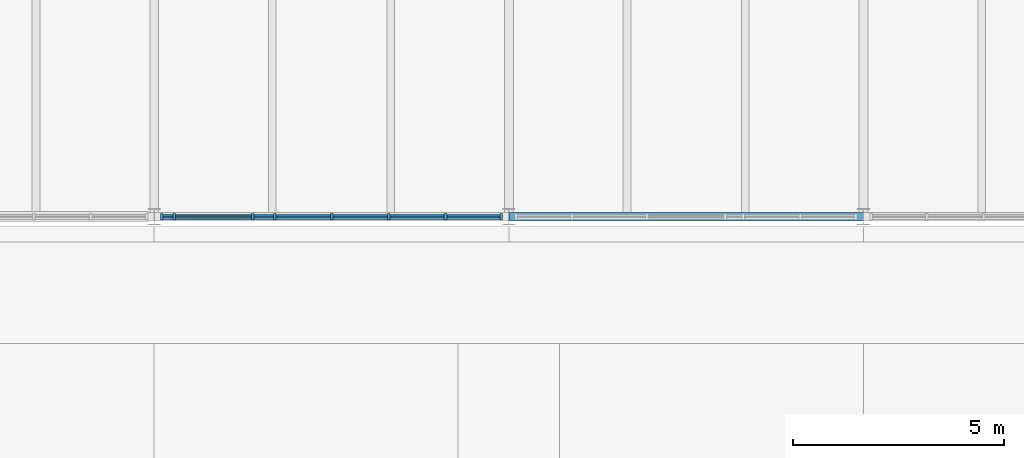
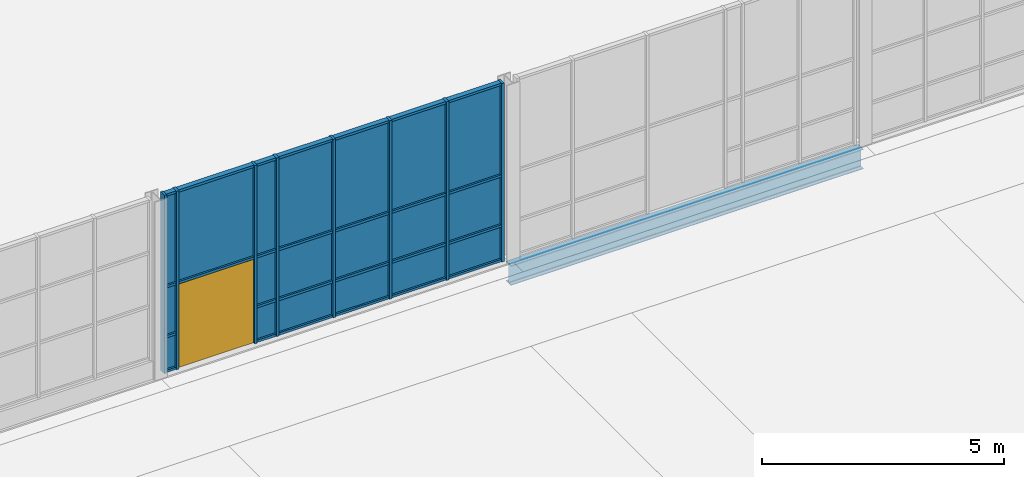
# One storey, part 41 of 116: 34 members, 19 plates, 1 beam, 1 door, 1 opening, 1 element without a shape of its own.
"""IFC4 building model written with IfcOpenShell, lengths in metres."""

from ifc_helpers import new_model, si_unit, direction, frame, frame_2d, origin, origin_2d, place, context, subcontext, project, spatial, rectangle, i_section, extrude, material, layer, layer_set, material_profile, profile_set, type_object, element, fill, aggregate, save


model = new_model("IFC4")

# Units and contexts
model_context = context("Model", 3, precision=1e-05, world=origin(), true_north=direction((0.0, 1.0)))
body_context = subcontext(model_context, "Body", "Model", "MODEL_VIEW")
ifc_project = project(units=[si_unit("LENGTHUNIT", "METRE"), si_unit("AREAUNIT", "SQUARE_METRE"), si_unit("VOLUMEUNIT", "CUBIC_METRE"), si_unit("PLANEANGLEUNIT", "RADIAN"), si_unit("MASSUNIT", "GRAM", prefix="KILO")], contexts=[model_context])

# Site, building, storey
site_placement = place(None, origin())
site = spatial("IfcSite", under=ifc_project, at=site_placement, CompositionType="ELEMENT")
building_placement = place(site_placement, origin())
building = spatial("IfcBuilding", under=site, at=building_placement, Name="Ardhachandra Cancer Care Centre", CompositionType="ELEMENT")
storey_placement = place(building_placement, origin())
storey = spatial("IfcBuildingStorey", under=building, at=storey_placement, Name="L00", CompositionType="ELEMENT", Elevation=0.0)

# Beam
ifc_material_1 = material(Name="Steel E350 (IS 2062)", Category="steel")
ifc_material_profile_1 = material_profile(ifc_material_1, i_section(OverallWidth=0.199951171875, OverallDepth=0.5, WebThickness=0.01025390625, FlangeThickness=0.01611328125, FilletRadius=0.02099609375, at=origin_2d()), Name="NPB 500x200x90.68")
ifc_profile_set_1 = profile_set([ifc_material_profile_1], Name="Steel E350 (IS 2062)")
beam_type = type_object("IfcBeamType", Name="Beam NPB 500x200x90.68", PredefinedType="BEAM", material=ifc_profile_set_1)
beam_placement = place(storey_placement, frame((78.0, 54.60009765625, -0.39990234375), z_axis=(1.0, 0.0, 0.0), x_axis=(0.0, 1.0, 0.0)))
element("IfcBeam", 1, at=beam_placement, inside=storey, type_object=beam_type, Name="Edge girder F9-F10", PredefinedType="BEAM", context=body_context, shape_type="SweptSolid", body=[
    extrude(i_section(OverallWidth=0.199951171875, OverallDepth=0.5, WebThickness=0.01025390625, FlangeThickness=0.01611328125, FilletRadius=0.02099609375, at=origin_2d()), origin(), (0.0, 0.0, 1.0), 8.39990234375),
])

# Curtain wall, opening, members, plates, door
ifc_material_2 = material(Name="Aluminium extrusion", Category="aluminium")
ifc_layer_1 = layer(ifc_material_2, 0.14990234375)
ifc_layer_set_1 = layer_set([ifc_layer_1], Name="Aluminium extrusion")
curtain_wall_type = type_object("IfcCurtainWallType", Name="Curtain wall run", PredefinedType="NOTDEFINED", material=ifc_layer_set_1)
curtain_wall_placement = place(storey_placement, frame((69.75, 54.60009765625, 0.0), z_axis=(0.0, 0.0, 1.0), x_axis=(1.0, 0.0, 0.0)))
curtain_wall = element("IfcCurtainWall", 2, at=curtain_wall_placement, inside=storey, type_object=curtain_wall_type, Name="Curtain wall L00 s/0069600_0054600", PredefinedType="NOTDEFINED")
opening_placement = place(curtain_wall_placement, frame((0.35009765625, 0.0, 0.0)))
opening = element("IfcOpeningElement", 3, at=opening_placement, cuts=curtain_wall, Name="Opening L00-X11", PredefinedType="OPENING", context=body_context, shape_type="SweptSolid", body=[
    extrude(rectangle(XDim=1.800048828125, YDim=2.10009765625, at=frame_2d((0.89990234375, 1.050048828125))), frame((0.0, 0.0849609375, 0.0), z_axis=(0.0, -1.0, 0.0), x_axis=(1.0, 0.0, 0.0)), (0.0, 0.0, 1.0), 0.169921875),
])
ifc_material_3 = material(Name="Aluminium extrusion", Category="aluminium")
ifc_material_profile_2 = material_profile(ifc_material_3, rectangle(XDim=0.159912109375, YDim=0.06005859375, at=origin_2d()), Name="Curtain wall mullion 60 x 160")
ifc_profile_set_2 = profile_set([ifc_material_profile_2], Name="Aluminium extrusion")
member_type_1 = type_object("IfcMemberType", Name="Curtain wall mullion 60 x 160", PredefinedType="MULLION", material=ifc_profile_set_2)
member_1_placement = place(storey_placement, frame((69.780029296875, 54.60009765625, 0.0), z_axis=(0.0, 0.0, 1.0), x_axis=(0.0, 1.0, 0.0)))
member_1 = element("IfcMember", 4, at=member_1_placement, type_object=member_type_1, Name="CW mullion 1", PredefinedType="MULLION", context=body_context, shape_type="SweptSolid", body=[
    extrude(rectangle(XDim=0.159912109375, YDim=0.06005859375, at=origin_2d()), origin(), (0.0, 0.0, 1.0), 4.5),
])
member_2_placement = place(storey_placement, frame((70.070068359375, 54.60009765625, 0.0), z_axis=(0.0, 0.0, 1.0), x_axis=(0.0, 1.0, 0.0)))
member_2 = element("IfcMember", 5, at=member_2_placement, type_object=member_type_1, Name="CW mullion 2", PredefinedType="MULLION", context=body_context, shape_type="SweptSolid", body=[
    extrude(rectangle(XDim=0.159912109375, YDim=0.06005859375, at=origin_2d()), origin(), (0.0, 0.0, 1.0), 4.5),
])
member_3_placement = place(storey_placement, frame((71.929931640625, 54.60009765625, 0.0), z_axis=(0.0, 0.0, 1.0), x_axis=(0.0, 1.0, 0.0)))
member_3 = element("IfcMember", 6, at=member_3_placement, type_object=member_type_1, Name="CW mullion 3", PredefinedType="MULLION", context=body_context, shape_type="SweptSolid", body=[
    extrude(rectangle(XDim=0.159912109375, YDim=0.06005859375, at=origin_2d()), origin(), (0.0, 0.0, 1.0), 4.5),
])
member_4_placement = place(storey_placement, frame((72.449951171875, 54.60009765625, 0.0), z_axis=(0.0, 0.0, 1.0), x_axis=(0.0, 1.0, 0.0)))
member_4 = element("IfcMember", 7, at=member_4_placement, type_object=member_type_1, Name="CW mullion 4", PredefinedType="MULLION", context=body_context, shape_type="SweptSolid", body=[
    extrude(rectangle(XDim=0.159912109375, YDim=0.06005859375, at=origin_2d()), origin(), (0.0, 0.0, 1.0), 4.5),
])
member_5_placement = place(storey_placement, frame((73.800048828125, 54.60009765625, 0.0), z_axis=(0.0, 0.0, 1.0), x_axis=(0.0, 1.0, 0.0)))
member_5 = element("IfcMember", 8, at=member_5_placement, type_object=member_type_1, Name="CW mullion 5", PredefinedType="MULLION", context=body_context, shape_type="SweptSolid", body=[
    extrude(rectangle(XDim=0.159912109375, YDim=0.06005859375, at=origin_2d()), origin(), (0.0, 0.0, 1.0), 4.5),
])
member_6_placement = place(storey_placement, frame((75.14990234375, 54.60009765625, 0.0), z_axis=(0.0, 0.0, 1.0), x_axis=(0.0, 1.0, 0.0)))
member_6 = element("IfcMember", 9, at=member_6_placement, type_object=member_type_1, Name="CW mullion 6", PredefinedType="MULLION", context=body_context, shape_type="SweptSolid", body=[
    extrude(rectangle(XDim=0.159912109375, YDim=0.06005859375, at=origin_2d()), origin(), (0.0, 0.0, 1.0), 4.5),
])
member_7_placement = place(storey_placement, frame((76.5, 54.60009765625, 0.0), z_axis=(0.0, 0.0, 1.0), x_axis=(0.0, 1.0, 0.0)))
member_7 = element("IfcMember", 10, at=member_7_placement, type_object=member_type_1, Name="CW mullion 7", PredefinedType="MULLION", context=body_context, shape_type="SweptSolid", body=[
    extrude(rectangle(XDim=0.159912109375, YDim=0.06005859375, at=origin_2d()), origin(), (0.0, 0.0, 1.0), 4.5),
])
member_8_placement = place(storey_placement, frame((77.820068359375, 54.60009765625, 0.0), z_axis=(0.0, 0.0, 1.0), x_axis=(0.0, 1.0, 0.0)))
member_8 = element("IfcMember", 11, at=member_8_placement, type_object=member_type_1, Name="CW mullion 8", PredefinedType="MULLION", context=body_context, shape_type="SweptSolid", body=[
    extrude(rectangle(XDim=0.159912109375, YDim=0.06005859375, at=origin_2d()), origin(), (0.0, 0.0, 1.0), 4.5),
])
ifc_material_4 = material(Name="Aluminium extrusion", Category="aluminium")
ifc_material_profile_3 = material_profile(ifc_material_4, rectangle(XDim=0.1201171875, YDim=0.06005859375, at=origin_2d()), Name="Curtain wall transom 60 x 120")
ifc_profile_set_3 = profile_set([ifc_material_profile_3], Name="Aluminium extrusion")
member_type_2 = type_object("IfcMemberType", Name="Curtain wall transom 60 x 120", PredefinedType="USERDEFINED", material=ifc_profile_set_3)
member_9_placement = place(storey_placement, frame((69.81005859375, 54.60009765625, 0.030029296875), z_axis=(1.0, 0.0, 0.0), x_axis=(0.0, 1.0, 0.0)))
member_9 = element("IfcMember", 12, at=member_9_placement, type_object=member_type_2, Name="CW transom 1.1", ObjectType="TRANSOM", PredefinedType="USERDEFINED", context=body_context, shape_type="SweptSolid", body=[
    extrude(rectangle(XDim=0.1201171875, YDim=0.06005859375, at=origin_2d()), origin(), (0.0, 0.0, 1.0), 0.22998046875),
])
member_10_placement = place(storey_placement, frame((69.81005859375, 54.60009765625, 0.89990234375), z_axis=(1.0, 0.0, 0.0), x_axis=(0.0, 1.0, 0.0)))
member_10 = element("IfcMember", 13, at=member_10_placement, type_object=member_type_2, Name="CW transom 1.2", ObjectType="TRANSOM", PredefinedType="USERDEFINED", context=body_context, shape_type="SweptSolid", body=[
    extrude(rectangle(XDim=0.1201171875, YDim=0.06005859375, at=origin_2d()), origin(), (0.0, 0.0, 1.0), 0.22998046875),
])
member_11_placement = place(storey_placement, frame((69.81005859375, 54.60009765625, 2.159912109375), z_axis=(1.0, 0.0, 0.0), x_axis=(0.0, 1.0, 0.0)))
member_11 = element("IfcMember", 14, at=member_11_placement, type_object=member_type_2, Name="CW transom 1.3", ObjectType="TRANSOM", PredefinedType="USERDEFINED", context=body_context, shape_type="SweptSolid", body=[
    extrude(rectangle(XDim=0.1201171875, YDim=0.06005859375, at=origin_2d()), origin(), (0.0, 0.0, 1.0), 0.22998046875),
])
member_12_placement = place(storey_placement, frame((69.81005859375, 54.60009765625, 4.469970703125), z_axis=(1.0, 0.0, 0.0), x_axis=(0.0, 1.0, 0.0)))
member_12 = element("IfcMember", 15, at=member_12_placement, type_object=member_type_2, Name="CW transom 1.4", ObjectType="TRANSOM", PredefinedType="USERDEFINED", context=body_context, shape_type="SweptSolid", body=[
    extrude(rectangle(XDim=0.1201171875, YDim=0.06005859375, at=origin_2d()), origin(), (0.0, 0.0, 1.0), 0.22998046875),
])
member_13_placement = place(storey_placement, frame((70.10009765625, 54.60009765625, 2.159912109375), z_axis=(1.0, 0.0, 0.0), x_axis=(0.0, 1.0, 0.0)))
member_13 = element("IfcMember", 16, at=member_13_placement, type_object=member_type_2, Name="CW transom 2.1", ObjectType="TRANSOM", PredefinedType="USERDEFINED", context=body_context, shape_type="SweptSolid", body=[
    extrude(rectangle(XDim=0.1201171875, YDim=0.06005859375, at=origin_2d()), origin(), (0.0, 0.0, 1.0), 1.7998046875),
])
member_14_placement = place(storey_placement, frame((70.10009765625, 54.60009765625, 4.469970703125), z_axis=(1.0, 0.0, 0.0), x_axis=(0.0, 1.0, 0.0)))
member_14 = element("IfcMember", 17, at=member_14_placement, type_object=member_type_2, Name="CW transom 2.2", ObjectType="TRANSOM", PredefinedType="USERDEFINED", context=body_context, shape_type="SweptSolid", body=[
    extrude(rectangle(XDim=0.1201171875, YDim=0.06005859375, at=origin_2d()), origin(), (0.0, 0.0, 1.0), 1.7998046875),
])
member_15_placement = place(storey_placement, frame((71.9599609375, 54.60009765625, 0.030029296875), z_axis=(1.0, 0.0, 0.0), x_axis=(0.0, 1.0, 0.0)))
member_15 = element("IfcMember", 18, at=member_15_placement, type_object=member_type_2, Name="CW transom 3.1", ObjectType="TRANSOM", PredefinedType="USERDEFINED", context=body_context, shape_type="SweptSolid", body=[
    extrude(rectangle(XDim=0.1201171875, YDim=0.06005859375, at=origin_2d()), origin(), (0.0, 0.0, 1.0), 0.4599609375),
])
member_16_placement = place(storey_placement, frame((71.9599609375, 54.60009765625, 0.89990234375), z_axis=(1.0, 0.0, 0.0), x_axis=(0.0, 1.0, 0.0)))
member_16 = element("IfcMember", 19, at=member_16_placement, type_object=member_type_2, Name="CW transom 3.2", ObjectType="TRANSOM", PredefinedType="USERDEFINED", context=body_context, shape_type="SweptSolid", body=[
    extrude(rectangle(XDim=0.1201171875, YDim=0.06005859375, at=origin_2d()), origin(), (0.0, 0.0, 1.0), 0.4599609375),
])
member_17_placement = place(storey_placement, frame((71.9599609375, 54.60009765625, 2.159912109375), z_axis=(1.0, 0.0, 0.0), x_axis=(0.0, 1.0, 0.0)))
member_17 = element("IfcMember", 20, at=member_17_placement, type_object=member_type_2, Name="CW transom 3.3", ObjectType="TRANSOM", PredefinedType="USERDEFINED", context=body_context, shape_type="SweptSolid", body=[
    extrude(rectangle(XDim=0.1201171875, YDim=0.06005859375, at=origin_2d()), origin(), (0.0, 0.0, 1.0), 0.4599609375),
])
member_18_placement = place(storey_placement, frame((71.9599609375, 54.60009765625, 4.469970703125), z_axis=(1.0, 0.0, 0.0), x_axis=(0.0, 1.0, 0.0)))
member_18 = element("IfcMember", 21, at=member_18_placement, type_object=member_type_2, Name="CW transom 3.4", ObjectType="TRANSOM", PredefinedType="USERDEFINED", context=body_context, shape_type="SweptSolid", body=[
    extrude(rectangle(XDim=0.1201171875, YDim=0.06005859375, at=origin_2d()), origin(), (0.0, 0.0, 1.0), 0.4599609375),
])
member_19_placement = place(storey_placement, frame((72.47998046875, 54.60009765625, 0.030029296875), z_axis=(1.0, 0.0, 0.0), x_axis=(0.0, 1.0, 0.0)))
member_19 = element("IfcMember", 22, at=member_19_placement, type_object=member_type_2, Name="CW transom 4.1", ObjectType="TRANSOM", PredefinedType="USERDEFINED", context=body_context, shape_type="SweptSolid", body=[
    extrude(rectangle(XDim=0.1201171875, YDim=0.06005859375, at=origin_2d()), origin(), (0.0, 0.0, 1.0), 1.2900390625),
])
member_20_placement = place(storey_placement, frame((72.47998046875, 54.60009765625, 0.89990234375), z_axis=(1.0, 0.0, 0.0), x_axis=(0.0, 1.0, 0.0)))
member_20 = element("IfcMember", 23, at=member_20_placement, type_object=member_type_2, Name="CW transom 4.2", ObjectType="TRANSOM", PredefinedType="USERDEFINED", context=body_context, shape_type="SweptSolid", body=[
    extrude(rectangle(XDim=0.1201171875, YDim=0.06005859375, at=origin_2d()), origin(), (0.0, 0.0, 1.0), 1.2900390625),
])
member_21_placement = place(storey_placement, frame((72.47998046875, 54.60009765625, 2.159912109375), z_axis=(1.0, 0.0, 0.0), x_axis=(0.0, 1.0, 0.0)))
member_21 = element("IfcMember", 24, at=member_21_placement, type_object=member_type_2, Name="CW transom 4.3", ObjectType="TRANSOM", PredefinedType="USERDEFINED", context=body_context, shape_type="SweptSolid", body=[
    extrude(rectangle(XDim=0.1201171875, YDim=0.06005859375, at=origin_2d()), origin(), (0.0, 0.0, 1.0), 1.2900390625),
])
member_22_placement = place(storey_placement, frame((72.47998046875, 54.60009765625, 4.469970703125), z_axis=(1.0, 0.0, 0.0), x_axis=(0.0, 1.0, 0.0)))
member_22 = element("IfcMember", 25, at=member_22_placement, type_object=member_type_2, Name="CW transom 4.4", ObjectType="TRANSOM", PredefinedType="USERDEFINED", context=body_context, shape_type="SweptSolid", body=[
    extrude(rectangle(XDim=0.1201171875, YDim=0.06005859375, at=origin_2d()), origin(), (0.0, 0.0, 1.0), 1.2900390625),
])
member_23_placement = place(storey_placement, frame((73.830078125, 54.60009765625, 0.030029296875), z_axis=(1.0, 0.0, 0.0), x_axis=(0.0, 1.0, 0.0)))
member_23 = element("IfcMember", 26, at=member_23_placement, type_object=member_type_2, Name="CW transom 5.1", ObjectType="TRANSOM", PredefinedType="USERDEFINED", context=body_context, shape_type="SweptSolid", body=[
    extrude(rectangle(XDim=0.1201171875, YDim=0.06005859375, at=origin_2d()), origin(), (0.0, 0.0, 1.0), 1.2900390625),
])
member_24_placement = place(storey_placement, frame((73.830078125, 54.60009765625, 0.89990234375), z_axis=(1.0, 0.0, 0.0), x_axis=(0.0, 1.0, 0.0)))
member_24 = element("IfcMember", 27, at=member_24_placement, type_object=member_type_2, Name="CW transom 5.2", ObjectType="TRANSOM", PredefinedType="USERDEFINED", context=body_context, shape_type="SweptSolid", body=[
    extrude(rectangle(XDim=0.1201171875, YDim=0.06005859375, at=origin_2d()), origin(), (0.0, 0.0, 1.0), 1.2900390625),
])
member_25_placement = place(storey_placement, frame((73.830078125, 54.60009765625, 2.159912109375), z_axis=(1.0, 0.0, 0.0), x_axis=(0.0, 1.0, 0.0)))
member_25 = element("IfcMember", 28, at=member_25_placement, type_object=member_type_2, Name="CW transom 5.3", ObjectType="TRANSOM", PredefinedType="USERDEFINED", context=body_context, shape_type="SweptSolid", body=[
    extrude(rectangle(XDim=0.1201171875, YDim=0.06005859375, at=origin_2d()), origin(), (0.0, 0.0, 1.0), 1.2900390625),
])
member_26_placement = place(storey_placement, frame((73.830078125, 54.60009765625, 4.469970703125), z_axis=(1.0, 0.0, 0.0), x_axis=(0.0, 1.0, 0.0)))
member_26 = element("IfcMember", 29, at=member_26_placement, type_object=member_type_2, Name="CW transom 5.4", ObjectType="TRANSOM", PredefinedType="USERDEFINED", context=body_context, shape_type="SweptSolid", body=[
    extrude(rectangle(XDim=0.1201171875, YDim=0.06005859375, at=origin_2d()), origin(), (0.0, 0.0, 1.0), 1.2900390625),
])
member_27_placement = place(storey_placement, frame((75.179931640625, 54.60009765625, 0.030029296875), z_axis=(1.0, 0.0, 0.0), x_axis=(0.0, 1.0, 0.0)))
member_27 = element("IfcMember", 30, at=member_27_placement, type_object=member_type_2, Name="CW transom 6.1", ObjectType="TRANSOM", PredefinedType="USERDEFINED", context=body_context, shape_type="SweptSolid", body=[
    extrude(rectangle(XDim=0.1201171875, YDim=0.06005859375, at=origin_2d()), origin(), (0.0, 0.0, 1.0), 1.2900390625),
])
member_28_placement = place(storey_placement, frame((75.179931640625, 54.60009765625, 0.89990234375), z_axis=(1.0, 0.0, 0.0), x_axis=(0.0, 1.0, 0.0)))
member_28 = element("IfcMember", 31, at=member_28_placement, type_object=member_type_2, Name="CW transom 6.2", ObjectType="TRANSOM", PredefinedType="USERDEFINED", context=body_context, shape_type="SweptSolid", body=[
    extrude(rectangle(XDim=0.1201171875, YDim=0.06005859375, at=origin_2d()), origin(), (0.0, 0.0, 1.0), 1.2900390625),
])
member_29_placement = place(storey_placement, frame((75.179931640625, 54.60009765625, 2.159912109375), z_axis=(1.0, 0.0, 0.0), x_axis=(0.0, 1.0, 0.0)))
member_29 = element("IfcMember", 32, at=member_29_placement, type_object=member_type_2, Name="CW transom 6.3", ObjectType="TRANSOM", PredefinedType="USERDEFINED", context=body_context, shape_type="SweptSolid", body=[
    extrude(rectangle(XDim=0.1201171875, YDim=0.06005859375, at=origin_2d()), origin(), (0.0, 0.0, 1.0), 1.2900390625),
])
member_30_placement = place(storey_placement, frame((75.179931640625, 54.60009765625, 4.469970703125), z_axis=(1.0, 0.0, 0.0), x_axis=(0.0, 1.0, 0.0)))
member_30 = element("IfcMember", 33, at=member_30_placement, type_object=member_type_2, Name="CW transom 6.4", ObjectType="TRANSOM", PredefinedType="USERDEFINED", context=body_context, shape_type="SweptSolid", body=[
    extrude(rectangle(XDim=0.1201171875, YDim=0.06005859375, at=origin_2d()), origin(), (0.0, 0.0, 1.0), 1.2900390625),
])
member_31_placement = place(storey_placement, frame((76.530029296875, 54.60009765625, 0.030029296875), z_axis=(1.0, 0.0, 0.0), x_axis=(0.0, 1.0, 0.0)))
member_31 = element("IfcMember", 34, at=member_31_placement, type_object=member_type_2, Name="CW transom 7.1", ObjectType="TRANSOM", PredefinedType="USERDEFINED", context=body_context, shape_type="SweptSolid", body=[
    extrude(rectangle(XDim=0.1201171875, YDim=0.06005859375, at=origin_2d()), origin(), (0.0, 0.0, 1.0), 1.260009765625),
])
member_32_placement = place(storey_placement, frame((76.530029296875, 54.60009765625, 0.89990234375), z_axis=(1.0, 0.0, 0.0), x_axis=(0.0, 1.0, 0.0)))
member_32 = element("IfcMember", 35, at=member_32_placement, type_object=member_type_2, Name="CW transom 7.2", ObjectType="TRANSOM", PredefinedType="USERDEFINED", context=body_context, shape_type="SweptSolid", body=[
    extrude(rectangle(XDim=0.1201171875, YDim=0.06005859375, at=origin_2d()), origin(), (0.0, 0.0, 1.0), 1.260009765625),
])
member_33_placement = place(storey_placement, frame((76.530029296875, 54.60009765625, 2.159912109375), z_axis=(1.0, 0.0, 0.0), x_axis=(0.0, 1.0, 0.0)))
member_33 = element("IfcMember", 36, at=member_33_placement, type_object=member_type_2, Name="CW transom 7.3", ObjectType="TRANSOM", PredefinedType="USERDEFINED", context=body_context, shape_type="SweptSolid", body=[
    extrude(rectangle(XDim=0.1201171875, YDim=0.06005859375, at=origin_2d()), origin(), (0.0, 0.0, 1.0), 1.260009765625),
])
member_34_placement = place(storey_placement, frame((76.530029296875, 54.60009765625, 4.469970703125), z_axis=(1.0, 0.0, 0.0), x_axis=(0.0, 1.0, 0.0)))
member_34 = element("IfcMember", 37, at=member_34_placement, type_object=member_type_2, Name="CW transom 7.4", ObjectType="TRANSOM", PredefinedType="USERDEFINED", context=body_context, shape_type="SweptSolid", body=[
    extrude(rectangle(XDim=0.1201171875, YDim=0.06005859375, at=origin_2d()), origin(), (0.0, 0.0, 1.0), 1.260009765625),
])
ifc_material_5 = material(Name="Low-iron double-glazed unit")
ifc_layer_2 = layer(ifc_material_5, 0.028076171875)
ifc_layer_set_2 = layer_set([ifc_layer_2], Name="Low-iron double-glazed unit")
plate_type = type_object("IfcPlateType", Name="Curtain wall glazing 28", PredefinedType="CURTAIN_PANEL", material=ifc_layer_set_2)
plate_1_placement = place(storey_placement, frame((69.925048828125, 54.60009765625, 0.06005859375), z_axis=(0.0, 0.0, 1.0), x_axis=(1.0, 0.0, 0.0)))
plate_1 = element("IfcPlate", 38, at=plate_1_placement, type_object=plate_type, Name="CW panel 1.1", PredefinedType="CURTAIN_PANEL", context=body_context, shape_type="SweptSolid", body=[
    extrude(rectangle(XDim=0.22998046875, YDim=0.028076171875, at=origin_2d()), origin(), (0.0, 0.0, 1.0), 0.81005859375),
])
plate_2_placement = place(storey_placement, frame((69.925048828125, 54.60009765625, 0.93017578125), z_axis=(0.0, 0.0, 1.0), x_axis=(1.0, 0.0, 0.0)))
plate_2 = element("IfcPlate", 39, at=plate_2_placement, type_object=plate_type, Name="CW panel 1.2", PredefinedType="CURTAIN_PANEL", context=body_context, shape_type="SweptSolid", body=[
    extrude(rectangle(XDim=0.22998046875, YDim=0.028076171875, at=origin_2d()), origin(), (0.0, 0.0, 1.0), 1.199951171875),
])
plate_3_placement = place(storey_placement, frame((69.925048828125, 54.60009765625, 2.18994140625), z_axis=(0.0, 0.0, 1.0), x_axis=(1.0, 0.0, 0.0)))
plate_3 = element("IfcPlate", 40, at=plate_3_placement, type_object=plate_type, Name="CW panel 1.3", PredefinedType="CURTAIN_PANEL", context=body_context, shape_type="SweptSolid", body=[
    extrude(rectangle(XDim=0.22998046875, YDim=0.028076171875, at=origin_2d()), origin(), (0.0, 0.0, 1.0), 2.25),
])
plate_4_placement = place(storey_placement, frame((71.0, 54.60009765625, 2.18994140625), z_axis=(0.0, 0.0, 1.0), x_axis=(1.0, 0.0, 0.0)))
plate_4 = element("IfcPlate", 41, at=plate_4_placement, type_object=plate_type, Name="CW panel 2.1", PredefinedType="CURTAIN_PANEL", context=body_context, shape_type="SweptSolid", body=[
    extrude(rectangle(XDim=1.800048828125, YDim=0.028076171875, at=origin_2d()), origin(), (0.0, 0.0, 1.0), 2.25),
])
plate_5_placement = place(storey_placement, frame((72.18994140625, 54.60009765625, 0.06005859375), z_axis=(0.0, 0.0, 1.0), x_axis=(1.0, 0.0, 0.0)))
plate_5 = element("IfcPlate", 42, at=plate_5_placement, type_object=plate_type, Name="CW panel 3.1", PredefinedType="CURTAIN_PANEL", context=body_context, shape_type="SweptSolid", body=[
    extrude(rectangle(XDim=0.4599609375, YDim=0.028076171875, at=origin_2d()), origin(), (0.0, 0.0, 1.0), 0.81005859375),
])
plate_6_placement = place(storey_placement, frame((72.18994140625, 54.60009765625, 0.93017578125), z_axis=(0.0, 0.0, 1.0), x_axis=(1.0, 0.0, 0.0)))
plate_6 = element("IfcPlate", 43, at=plate_6_placement, type_object=plate_type, Name="CW panel 3.2", PredefinedType="CURTAIN_PANEL", context=body_context, shape_type="SweptSolid", body=[
    extrude(rectangle(XDim=0.4599609375, YDim=0.028076171875, at=origin_2d()), origin(), (0.0, 0.0, 1.0), 1.199951171875),
])
plate_7_placement = place(storey_placement, frame((72.18994140625, 54.60009765625, 2.18994140625), z_axis=(0.0, 0.0, 1.0), x_axis=(1.0, 0.0, 0.0)))
plate_7 = element("IfcPlate", 44, at=plate_7_placement, type_object=plate_type, Name="CW panel 3.3", PredefinedType="CURTAIN_PANEL", context=body_context, shape_type="SweptSolid", body=[
    extrude(rectangle(XDim=0.4599609375, YDim=0.028076171875, at=origin_2d()), origin(), (0.0, 0.0, 1.0), 2.25),
])
plate_8_placement = place(storey_placement, frame((73.125, 54.60009765625, 0.06005859375), z_axis=(0.0, 0.0, 1.0), x_axis=(1.0, 0.0, 0.0)))
plate_8 = element("IfcPlate", 45, at=plate_8_placement, type_object=plate_type, Name="CW panel 4.1", PredefinedType="CURTAIN_PANEL", context=body_context, shape_type="SweptSolid", body=[
    extrude(rectangle(XDim=1.2900390625, YDim=0.028076171875, at=origin_2d()), origin(), (0.0, 0.0, 1.0), 0.81005859375),
])
plate_9_placement = place(storey_placement, frame((73.125, 54.60009765625, 0.93017578125), z_axis=(0.0, 0.0, 1.0), x_axis=(1.0, 0.0, 0.0)))
plate_9 = element("IfcPlate", 46, at=plate_9_placement, type_object=plate_type, Name="CW panel 4.2", PredefinedType="CURTAIN_PANEL", context=body_context, shape_type="SweptSolid", body=[
    extrude(rectangle(XDim=1.2900390625, YDim=0.028076171875, at=origin_2d()), origin(), (0.0, 0.0, 1.0), 1.199951171875),
])
plate_10_placement = place(storey_placement, frame((73.125, 54.60009765625, 2.18994140625), z_axis=(0.0, 0.0, 1.0), x_axis=(1.0, 0.0, 0.0)))
plate_10 = element("IfcPlate", 47, at=plate_10_placement, type_object=plate_type, Name="CW panel 4.3", PredefinedType="CURTAIN_PANEL", context=body_context, shape_type="SweptSolid", body=[
    extrude(rectangle(XDim=1.2900390625, YDim=0.028076171875, at=origin_2d()), origin(), (0.0, 0.0, 1.0), 2.25),
])
plate_11_placement = place(storey_placement, frame((74.47509765625, 54.60009765625, 0.06005859375), z_axis=(0.0, 0.0, 1.0), x_axis=(1.0, 0.0, 0.0)))
plate_11 = element("IfcPlate", 48, at=plate_11_placement, type_object=plate_type, Name="CW panel 5.1", PredefinedType="CURTAIN_PANEL", context=body_context, shape_type="SweptSolid", body=[
    extrude(rectangle(XDim=1.2900390625, YDim=0.028076171875, at=origin_2d()), origin(), (0.0, 0.0, 1.0), 0.81005859375),
])
plate_12_placement = place(storey_placement, frame((74.47509765625, 54.60009765625, 0.93017578125), z_axis=(0.0, 0.0, 1.0), x_axis=(1.0, 0.0, 0.0)))
plate_12 = element("IfcPlate", 49, at=plate_12_placement, type_object=plate_type, Name="CW panel 5.2", PredefinedType="CURTAIN_PANEL", context=body_context, shape_type="SweptSolid", body=[
    extrude(rectangle(XDim=1.2900390625, YDim=0.028076171875, at=origin_2d()), origin(), (0.0, 0.0, 1.0), 1.199951171875),
])
plate_13_placement = place(storey_placement, frame((74.47509765625, 54.60009765625, 2.18994140625), z_axis=(0.0, 0.0, 1.0), x_axis=(1.0, 0.0, 0.0)))
plate_13 = element("IfcPlate", 50, at=plate_13_placement, type_object=plate_type, Name="CW panel 5.3", PredefinedType="CURTAIN_PANEL", context=body_context, shape_type="SweptSolid", body=[
    extrude(rectangle(XDim=1.2900390625, YDim=0.028076171875, at=origin_2d()), origin(), (0.0, 0.0, 1.0), 2.25),
])
plate_14_placement = place(storey_placement, frame((75.824951171875, 54.60009765625, 0.06005859375), z_axis=(0.0, 0.0, 1.0), x_axis=(1.0, 0.0, 0.0)))
plate_14 = element("IfcPlate", 51, at=plate_14_placement, type_object=plate_type, Name="CW panel 6.1", PredefinedType="CURTAIN_PANEL", context=body_context, shape_type="SweptSolid", body=[
    extrude(rectangle(XDim=1.2900390625, YDim=0.028076171875, at=origin_2d()), origin(), (0.0, 0.0, 1.0), 0.81005859375),
])
plate_15_placement = place(storey_placement, frame((75.824951171875, 54.60009765625, 0.93017578125), z_axis=(0.0, 0.0, 1.0), x_axis=(1.0, 0.0, 0.0)))
plate_15 = element("IfcPlate", 52, at=plate_15_placement, type_object=plate_type, Name="CW panel 6.2", PredefinedType="CURTAIN_PANEL", context=body_context, shape_type="SweptSolid", body=[
    extrude(rectangle(XDim=1.2900390625, YDim=0.028076171875, at=origin_2d()), origin(), (0.0, 0.0, 1.0), 1.199951171875),
])
plate_16_placement = place(storey_placement, frame((75.824951171875, 54.60009765625, 2.18994140625), z_axis=(0.0, 0.0, 1.0), x_axis=(1.0, 0.0, 0.0)))
plate_16 = element("IfcPlate", 53, at=plate_16_placement, type_object=plate_type, Name="CW panel 6.3", PredefinedType="CURTAIN_PANEL", context=body_context, shape_type="SweptSolid", body=[
    extrude(rectangle(XDim=1.2900390625, YDim=0.028076171875, at=origin_2d()), origin(), (0.0, 0.0, 1.0), 2.25),
])
plate_17_placement = place(storey_placement, frame((77.159912109375, 54.60009765625, 0.06005859375), z_axis=(0.0, 0.0, 1.0), x_axis=(1.0, 0.0, 0.0)))
plate_17 = element("IfcPlate", 54, at=plate_17_placement, type_object=plate_type, Name="CW panel 7.1", PredefinedType="CURTAIN_PANEL", context=body_context, shape_type="SweptSolid", body=[
    extrude(rectangle(XDim=1.260009765625, YDim=0.028076171875, at=origin_2d()), origin(), (0.0, 0.0, 1.0), 0.81005859375),
])
plate_18_placement = place(storey_placement, frame((77.159912109375, 54.60009765625, 0.93017578125), z_axis=(0.0, 0.0, 1.0), x_axis=(1.0, 0.0, 0.0)))
plate_18 = element("IfcPlate", 55, at=plate_18_placement, type_object=plate_type, Name="CW panel 7.2", PredefinedType="CURTAIN_PANEL", context=body_context, shape_type="SweptSolid", body=[
    extrude(rectangle(XDim=1.260009765625, YDim=0.028076171875, at=origin_2d()), origin(), (0.0, 0.0, 1.0), 1.199951171875),
])
plate_19_placement = place(storey_placement, frame((77.159912109375, 54.60009765625, 2.18994140625), z_axis=(0.0, 0.0, 1.0), x_axis=(1.0, 0.0, 0.0)))
plate_19 = element("IfcPlate", 56, at=plate_19_placement, type_object=plate_type, Name="CW panel 7.3", PredefinedType="CURTAIN_PANEL", context=body_context, shape_type="SweptSolid", body=[
    extrude(rectangle(XDim=1.260009765625, YDim=0.028076171875, at=origin_2d()), origin(), (0.0, 0.0, 1.0), 2.25),
])
aggregate(curtain_wall, [member_1, member_2, member_3, member_4, member_5, member_6, member_7, member_8, member_9, member_10, member_11, member_12, plate_1, plate_2, plate_3, member_13, member_14, plate_4, member_15, member_16, member_17, member_18, plate_5, plate_6, plate_7, member_19, member_20, member_21, member_22, plate_8, plate_9, plate_10, member_23, member_24, member_25, member_26, plate_11, plate_12, plate_13, member_27, member_28, member_29, member_30, plate_14, plate_15, plate_16, member_31, member_32, member_33, member_34, plate_17, plate_18, plate_19])
ifc_material_6 = material(Name="Hollow steel door set with fire-rated infill", Category="steel")
door_type = type_object("IfcDoorType", Name="Exit door pair 1800 x 2100", OperationType="DOUBLE_DOOR_SINGLE_SWING", PredefinedType="DOOR", material=ifc_material_6)
door_placement = place(opening_placement, origin())
door = element("IfcDoor", 57, at=door_placement, inside=storey, type_object=door_type, Name="Hall Court Exit Door L00-X11", OperationType="SINGLE_SWING_LEFT", OverallHeight=2.10009765625, OverallWidth=1.800048828125, PredefinedType="DOOR", context=body_context, shape_type="SweptSolid", body=[
    extrude(rectangle(XDim=1.800048828125, YDim=2.10009765625, at=frame_2d((0.89990234375, 1.050048828125))), frame((0.0, 0.02490234375, 0.0), z_axis=(0.0, -1.0, 0.0), x_axis=(1.0, 0.0, 0.0)), (0.0, 0.0, 1.0), 0.050048828125),
])
fill(opening, door)

save(model, "model.ifc")
